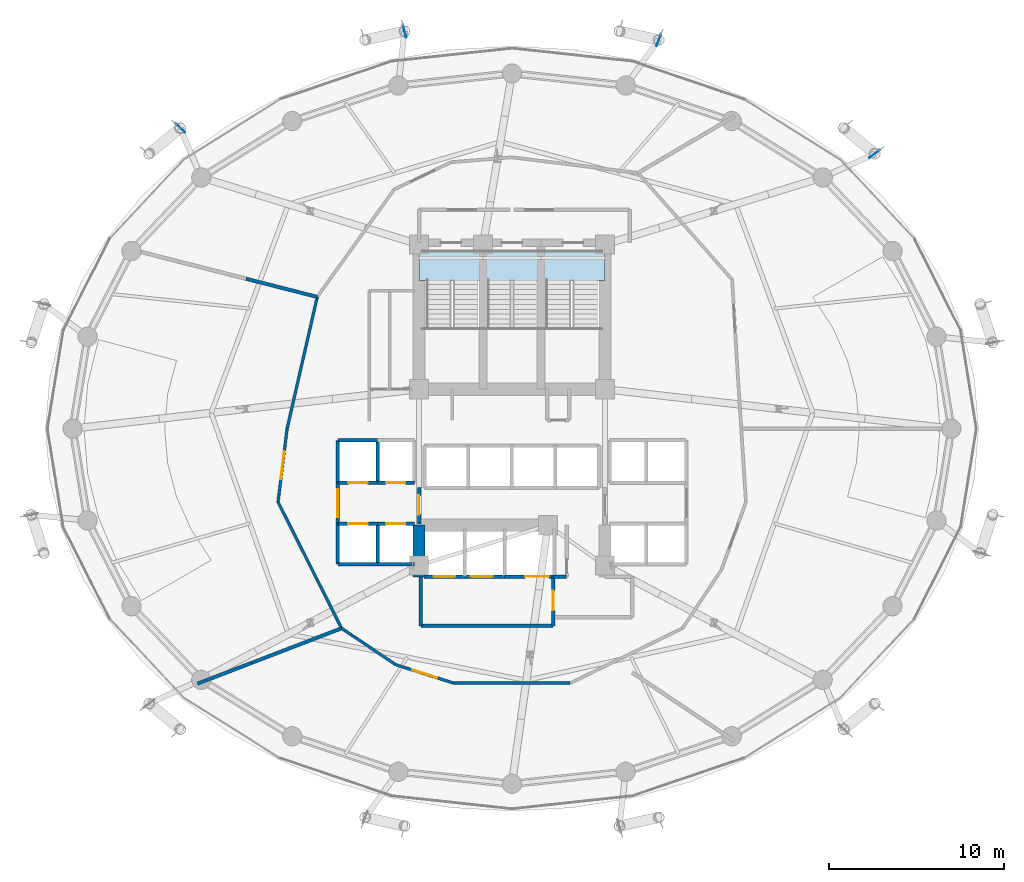
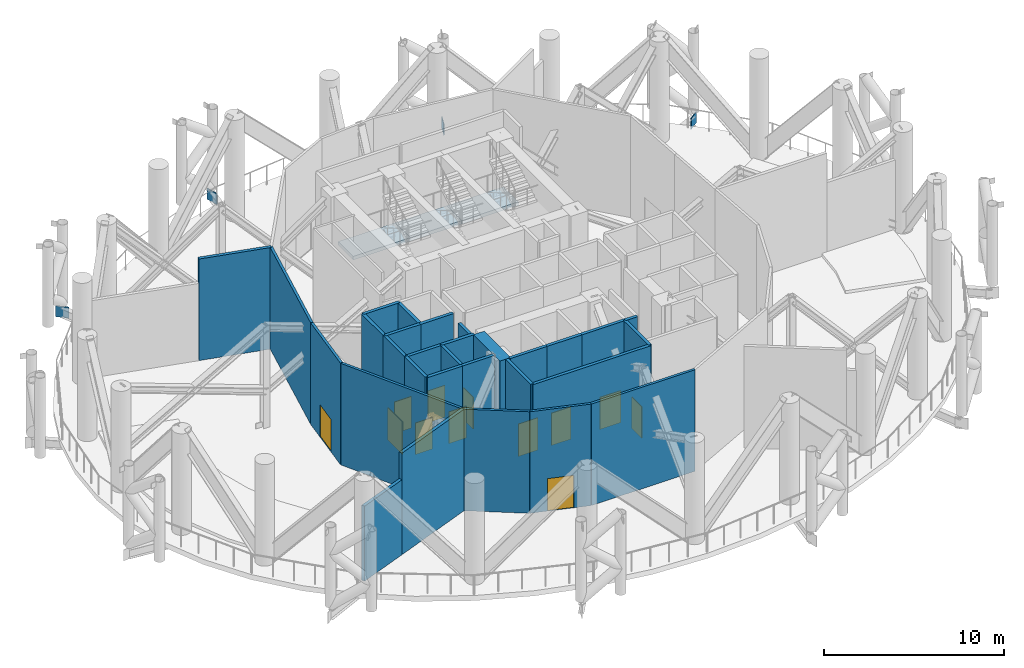
# One storey, part 8 of 19: 30 walls, 12 doors, 4 plates, 3 slabs, 12 openings, 3 elements without a shape of their own.
"""IFC4 building model written with IfcOpenShell, lengths in metres."""

from ifc_helpers import new_model, si_unit, direction, frame, frame_2d, origin, origin_2d, place, context, subcontext, project, spatial, polyline, rectangle, outline, extrude, material, layer, layer_set, type_object, element, fill, aggregate, save


model = new_model("IFC4")

# Units and contexts
model_context = context("Model", 3, precision=1e-05, world=origin(), true_north=direction((0.0, 1.0)))
body_context = subcontext(model_context, "Body", "Model", "MODEL_VIEW")
ifc_project = project(units=[si_unit("LENGTHUNIT", "METRE"), si_unit("AREAUNIT", "SQUARE_METRE"), si_unit("VOLUMEUNIT", "CUBIC_METRE"), si_unit("PLANEANGLEUNIT", "RADIAN"), si_unit("MASSUNIT", "GRAM", prefix="KILO")], contexts=[model_context])

# Site, building, storey
site_placement = place(None, origin())
site = spatial("IfcSite", under=ifc_project, at=site_placement, CompositionType="ELEMENT")
building_placement = place(site_placement, origin())
building = spatial("IfcBuilding", under=site, at=building_placement, Name="Nuhasar Tower", CompositionType="ELEMENT")
storey_placement = place(building_placement, frame((0.0, 0.0, 106.050048828125)))
storey = spatial("IfcBuildingStorey", under=building, at=storey_placement, Name="L25", CompositionType="ELEMENT", Elevation=106.050048828125)

# Plates
ifc_material_1 = material(Name="Steel S460", Category="steel")
ifc_layer_1 = layer(ifc_material_1, 0.0400390625)
ifc_layer_set_1 = layer_set([ifc_layer_1], Name="Steel S460")
plate_type = type_object("IfcPlateType", Name="PLT-GUSSET-40", PredefinedType="SHEET", material=ifc_layer_set_1)
for number, where, z_axis, x_axis, name in (
    (1, (59.68505859375, 42.470947265625, -1.030029296875), (0.0, 0.0, 1.0), (0.797078306655, 0.60387595834, 0.0), "L25 Bronze Diagrid Gusset Node Plate 02"),
    (2, (47.3701171875, 48.9599609375, -1.030029296875), (0.0, 0.0, 1.0), (0.353344227708, 0.93549337611, 0.0), "L25 Bronze Diagrid Gusset Node Plate 03"),
    (3, (32.8759765625, 49.458984375, -1.030029296875), (0.0, 0.0, 1.0), (-0.260908902007, 0.965363426308, 0.0), "L25 Bronze Diagrid Gusset Node Plate 04"),
    (4, (20.0869140625, 43.93896484375, -1.030029296875), (0.0, 0.0, 1.0), (-0.741003867187, 0.671500758611, 0.0), "L25 Bronze Diagrid Gusset Node Plate 05"),
):
    element("IfcPlate", number, at=place(storey_placement, frame(where, z_axis=z_axis, x_axis=x_axis)), inside=storey, type_object=plate_type, Name=name, PredefinedType="SHEET", context=body_context, shape_type="SweptSolid", body=[
        extrude(rectangle(XDim=0.75, YDim=0.0400390625, at=origin_2d()), origin(), (0.0, 0.0, 1.0), 0.75),
    ])

# Stair, slab
ifc_material_2 = material(Name="Concrete C45/55", Category="concrete")
stair_type_1 = type_object("IfcStairType", Name="STR-ST-01-4F-44R-1636", PredefinedType="HALF_TURN_STAIR", material=ifc_material_2)
stair_1_placement = place(storey_placement, origin())
stair_1 = element("IfcStair", 5, at=stair_1_placement, inside=storey, type_object=stair_type_1, Name="L25 Exit Stair ST-01", PredefinedType="HALF_TURN_STAIR")
ifc_layer_2 = layer(ifc_material_2, 0.239990234375)
ifc_layer_set_2 = layer_set([ifc_layer_2], Name="Concrete C45/55")
slab_type = type_object("IfcSlabType", Name="SLB-STAIR-LND-240", PredefinedType="LANDING", material=ifc_layer_set_2)
slab_1_placement = place(storey_placement, frame((0.0, 0.0, 3.35986328125)))
slab_1 = element("IfcSlab", 6, at=slab_1_placement, type_object=slab_type, Name="ST-01 landing 2", PredefinedType="LANDING", context=body_context, shape_type="SweptSolid", body=[
    extrude(outline(polyline([(33.699951171875, 35.239990234375), (37.35009765625, 35.239990234375), (37.35009765625, 36.909912109375), (33.699951171875, 36.909912109375), (33.699951171875, 35.239990234375)])), origin(), (0.0, 0.0, 1.0), 0.239990234375),
])
aggregate(stair_1, [slab_1])

stair_type_2 = type_object("IfcStairType", Name="STR-ST-03-4F-44R-1636", PredefinedType="HALF_TURN_STAIR", material=ifc_material_2)
stair_2_placement = place(storey_placement, origin())
stair_2 = element("IfcStair", 7, at=stair_2_placement, inside=storey, type_object=stair_type_2, Name="L25 Exit Stair ST-03", PredefinedType="HALF_TURN_STAIR")
slab_2_placement = place(storey_placement, frame((0.0, 0.0, 3.35986328125)))
slab_2 = element("IfcSlab", 8, at=slab_2_placement, type_object=slab_type, Name="ST-03 landing 2", PredefinedType="LANDING", context=body_context, shape_type="SweptSolid", body=[
    extrude(outline(polyline([(37.35009765625, 35.239990234375), (40.64990234375, 35.239990234375), (40.64990234375, 36.909912109375), (37.35009765625, 36.909912109375), (37.35009765625, 35.239990234375)])), origin(), (0.0, 0.0, 1.0), 0.239990234375),
])
aggregate(stair_2, [slab_2])

stair_type_3 = type_object("IfcStairType", Name="STR-ST-02-4F-44R-1636", PredefinedType="HALF_TURN_STAIR", material=ifc_material_2)
stair_3_placement = place(storey_placement, origin())
stair_3 = element("IfcStair", 9, at=stair_3_placement, inside=storey, type_object=stair_type_3, Name="L25 Exit Stair ST-02", PredefinedType="HALF_TURN_STAIR")
slab_3_placement = place(storey_placement, frame((0.0, 0.0, 3.35986328125)))
slab_3 = element("IfcSlab", 10, at=slab_3_placement, type_object=slab_type, Name="ST-02 landing 2", PredefinedType="LANDING", context=body_context, shape_type="SweptSolid", body=[
    extrude(outline(polyline([(40.64990234375, 35.239990234375), (44.300048828125, 35.239990234375), (44.300048828125, 36.909912109375), (40.64990234375, 36.909912109375), (40.64990234375, 35.239990234375)])), origin(), (0.0, 0.0, 1.0), 0.239990234375),
])
aggregate(stair_3, [slab_3])

# Walls
ifc_material_3 = material(Name="Concrete C65/80", Category="concrete")
ifc_layer_3 = layer(ifc_material_3, 0.699951171875)
ifc_layer_set_3 = layer_set([ifc_layer_3], Name="Concrete C65/80")
wall_type_1 = type_object("IfcWallType", Name="WL-CORE-700", PredefinedType="SHEAR", material=ifc_layer_set_3)
wall_1_placement = place(storey_placement, frame((33.699951171875, 18.35009765625, 0.0), z_axis=(0.0, 0.0, 1.0), x_axis=(0.0, 1.0, 0.0)))
element("IfcWall", 11, at=wall_1_placement, inside=storey, type_object=wall_type_1, Name="L25 Core Shear Wall CW-SW CW-700", PredefinedType="SHEAR", context=body_context, shape_type="SweptSolid", body=[
    extrude(rectangle(XDim=2.949951171875, YDim=0.699951171875, at=frame_2d((1.47509765625, 0.0))), origin(), (0.0, 0.0, 1.0), 6.8798828125),
])
ifc_material_4 = material(Name="Gypsum Board", Category="gypsum")
ifc_layer_4 = layer(ifc_material_4, 0.159912109375)
ifc_layer_set_4 = layer_set([ifc_layer_4], Name="Gypsum Board")
wall_type_2 = type_object("IfcWallType", Name="WL-CORR-160", PredefinedType="PARTITIONING", material=ifc_layer_set_4)
wall_2_placement = place(storey_placement, frame((27.89794921875, 34.31005859375, 0.0), z_axis=(0.0, 0.0, 1.0), x_axis=(-0.223002916051, -0.974817777553, 0.0)))
element("IfcWall", 12, at=wall_2_placement, inside=storey, type_object=wall_type_2, Name="L25 Interior Partition CORR-20", PredefinedType="PARTITIONING", context=body_context, shape_type="SweptSolid", body=[
    extrude(rectangle(XDim=7.7041015625, YDim=0.159912109375, at=frame_2d((3.85205078125, 0.0))), origin(), (0.0, 0.0, 1.0), 6.8798828125),
])

# Wall, opening, door
wall_3_placement = place(storey_placement, frame((25.6630859375, 22.614013671875, 0.0), z_axis=(0.0, 0.0, 1.0), x_axis=(0.122538537921, 0.992463755874, 0.0)))
wall_3 = element("IfcWall", 13, at=wall_3_placement, inside=storey, type_object=wall_type_2, Name="L25 Interior Partition CORR-24", PredefinedType="PARTITIONING", context=body_context, shape_type="SweptSolid", body=[
    extrude(rectangle(XDim=4.2177734375, YDim=0.159912109375, at=frame_2d((2.10888671875, 0.0))), origin(), (0.0, 0.0, 1.0), 6.8798828125),
])
opening_1_placement = place(wall_3_placement, frame((1.30908203125, 0.0, 0.0)))
opening_1 = element("IfcOpeningElement", 14, at=opening_1_placement, cuts=wall_3, Name="Opening DC-01", PredefinedType="OPENING", context=body_context, shape_type="SweptSolid", body=[
    extrude(rectangle(XDim=1.60009765625, YDim=2.199951171875, at=frame_2d((0.800048828125, 1.10009765625))), frame((0.0, 0.08984375, 0.0), z_axis=(0.0, -1.0, 0.0), x_axis=(1.0, 0.0, 0.0)), (0.0, 0.0, 1.0), 0.179931640625),
])
ifc_material_5 = material(Name="Steel S355", Category="steel")
door_type_1 = type_object("IfcDoorType", Name="DR-CORR-FD60-1600", OperationType="DOUBLE_DOOR_SINGLE_SWING", PredefinedType="DOOR", material=ifc_material_5)
door_1_placement = place(opening_1_placement, origin())
door_1 = element("IfcDoor", 15, at=door_1_placement, inside=storey, type_object=door_type_1, Name="L25 West Refuge Area Door", OperationType="DOUBLE_DOOR_SINGLE_SWING", OverallHeight=2.199951171875, OverallWidth=1.60009765625, PredefinedType="DOOR", context=body_context, shape_type="SweptSolid", body=[
    extrude(rectangle(XDim=1.60009765625, YDim=2.199951171875, at=frame_2d((0.800048828125, 1.10009765625))), frame((0.0, 0.02490234375, 0.0), z_axis=(0.0, -1.0, 0.0), x_axis=(1.0, 0.0, 0.0)), (0.0, 0.0, 1.0), 0.050048828125),
])
fill(opening_1, door_1)

# Walls
wall_4_placement = place(storey_placement, frame((25.6630859375, 22.614013671875, 0.0), z_axis=(0.0, 0.0, 1.0), x_axis=(0.449672541353, -0.893193487187, 0.0)))
element("IfcWall", 16, at=wall_4_placement, inside=storey, type_object=wall_type_2, Name="L25 Interior Partition CORR-26", PredefinedType="PARTITIONING", context=body_context, shape_type="SweptSolid", body=[
    extrude(rectangle(XDim=8.056640625, YDim=0.159912109375, at=frame_2d((4.0283203125, 0.0))), origin(), (0.0, 0.0, 1.0), 6.8798828125),
])
wall_5_placement = place(storey_placement, frame((29.285888671875, 15.41796875, 0.0), z_axis=(0.0, 0.0, 1.0), x_axis=(0.829606474383, -0.558348544962, 0.0)))
element("IfcWall", 17, at=wall_5_placement, inside=storey, type_object=wall_type_2, Name="L25 Interior Partition CORR-30", PredefinedType="PARTITIONING", context=body_context, shape_type="SweptSolid", body=[
    extrude(rectangle(XDim=3.71630859375, YDim=0.159912109375, at=frame_2d((1.858154296875, 0.0))), origin(), (0.0, 0.0, 1.0), 6.8798828125),
])

# Wall, opening, door
wall_6_placement = place(storey_placement, frame((35.681884765625, 12.2919921875, 0.0), z_axis=(0.0, 0.0, 1.0), x_axis=(-0.953183734956, 0.302391744951, 0.0)))
wall_6 = element("IfcWall", 18, at=wall_6_placement, inside=storey, type_object=wall_type_2, Name="L25 Interior Partition CORR-32", PredefinedType="PARTITIONING", context=body_context, shape_type="SweptSolid", body=[
    extrude(rectangle(XDim=3.4755859375, YDim=0.159912109375, at=frame_2d((1.73779296875, 0.0))), origin(), (0.0, 0.0, 1.0), 6.8798828125),
])
opening_2_placement = place(wall_6_placement, frame((0.988037109375, 0.0, 0.0)))
opening_2 = element("IfcOpeningElement", 19, at=opening_2_placement, cuts=wall_6, Name="Opening DP-01", PredefinedType="OPENING", context=body_context, shape_type="SweptSolid", body=[
    extrude(rectangle(XDim=1.5, YDim=2.199951171875, at=frame_2d((0.75, 1.10009765625))), frame((0.0, 0.08984375, 0.0), z_axis=(0.0, -1.0, 0.0), x_axis=(1.0, 0.0, 0.0)), (0.0, 0.0, 1.0), 0.179931640625),
])
door_type_2 = type_object("IfcDoorType", Name="DR-PLANT-FD120-1500", OperationType="DOUBLE_DOOR_SINGLE_SWING", PredefinedType="DOOR", material=ifc_material_5)
door_2_placement = place(opening_2_placement, origin())
door_2 = element("IfcDoor", 20, at=door_2_placement, inside=storey, type_object=door_type_2, Name="L25 South Chiller & Pump Plant Door", OperationType="DOUBLE_DOOR_SINGLE_SWING", OverallHeight=2.199951171875, OverallWidth=1.5, PredefinedType="DOOR", context=body_context, shape_type="SweptSolid", body=[
    extrude(rectangle(XDim=1.5, YDim=2.199951171875, at=frame_2d((0.75, 1.10009765625))), frame((0.0, 0.02490234375, 0.0), z_axis=(0.0, -1.0, 0.0), x_axis=(1.0, 0.0, 0.0)), (0.0, 0.0, 1.0), 0.050048828125),
])
fill(opening_2, door_2)

# Wall
wall_7_placement = place(storey_placement, frame((35.681884765625, 12.2919921875, 0.0), z_axis=(0.0, 0.0, 1.0), x_axis=(1.0, 0.0, 0.0)))
element("IfcWall", 21, at=wall_7_placement, inside=storey, type_object=wall_type_2, Name="L25 Interior Partition CORR-34", PredefinedType="PARTITIONING", context=body_context, shape_type="SweptSolid", body=[
    extrude(rectangle(XDim=6.63623046875, YDim=0.159912109375, at=frame_2d((3.318115234375, 0.0))), origin(), (0.0, 0.0, 1.0), 6.8798828125),
])

# Wall, opening, door
ifc_layer_5 = layer(ifc_material_2, 0.199951171875)
ifc_layer_set_5 = layer_set([ifc_layer_5], Name="Concrete C45/55")
wall_type_3 = type_object("IfcWallType", Name="WL-LOBBY-200", PredefinedType="SOLIDWALL", material=ifc_layer_set_5)
wall_8_placement = place(storey_placement, frame((29.070068359375, 21.3798828125, 0.0), z_axis=(0.0, 0.0, 1.0), x_axis=(0.0, 1.0, 0.0)))
wall_8 = element("IfcWall", 22, at=wall_8_placement, inside=storey, type_object=wall_type_3, Name="L25 Interior Partition LLBL-W", PredefinedType="SOLIDWALL", context=body_context, shape_type="SweptSolid", body=[
    extrude(rectangle(XDim=2.340087890625, YDim=0.199951171875, at=frame_2d((1.169921875, 0.0))), origin(), (0.0, 0.0, 1.0), 6.8798828125),
])
opening_3_placement = place(wall_8_placement, frame((0.3701171875, 0.0, 0.0)))
opening_3 = element("IfcOpeningElement", 23, at=opening_3_placement, cuts=wall_8, Name="Opening DC-01", PredefinedType="OPENING", context=body_context, shape_type="SweptSolid", body=[
    extrude(rectangle(XDim=1.60009765625, YDim=2.199951171875, at=frame_2d((0.800048828125, 1.10009765625))), frame((0.0, 0.10986328125, 0.0), z_axis=(0.0, -1.0, 0.0), x_axis=(1.0, 0.0, 0.0)), (0.0, 0.0, 1.0), 0.219970703125),
])
door_3_placement = place(opening_3_placement, origin())
door_3 = element("IfcDoor", 24, at=door_3_placement, inside=storey, type_object=door_type_1, Name="L25 Low-Rise Lift Lobby West Entry", OperationType="DOUBLE_DOOR_SINGLE_SWING", OverallHeight=2.199951171875, OverallWidth=1.60009765625, PredefinedType="DOOR", context=body_context, shape_type="SweptSolid", body=[
    extrude(rectangle(XDim=1.60009765625, YDim=2.199951171875, at=frame_2d((0.800048828125, 1.10009765625))), frame((0.0, 0.02490234375, 0.0), z_axis=(0.0, -1.0, 0.0), x_axis=(1.0, 0.0, 0.0)), (0.0, 0.0, 1.0), 0.050048828125),
])
fill(opening_3, door_3)

wall_9_placement = place(storey_placement, frame((33.699951171875, 21.35009765625, 0.0), z_axis=(0.0, 0.0, 1.0), x_axis=(0.0, 1.0, 0.0)))
wall_9 = element("IfcWall", 25, at=wall_9_placement, inside=storey, type_object=wall_type_3, Name="L25 Interior Partition LLBH-W", PredefinedType="SOLIDWALL", context=body_context, shape_type="SweptSolid", body=[
    extrude(rectangle(XDim=2.099853515625, YDim=0.199951171875, at=frame_2d((1.0498046875, 0.0))), origin(), (0.0, 0.0, 1.0), 6.264892578125),
])
opening_4_placement = place(wall_9_placement, frame((0.550048828125, 0.0, 0.0)))
opening_4 = element("IfcOpeningElement", 26, at=opening_4_placement, cuts=wall_9, Name="Opening DS-02", PredefinedType="OPENING", context=body_context, shape_type="SweptSolid", body=[
    extrude(rectangle(XDim=1.10009765625, YDim=2.14990234375, at=frame_2d((0.550048828125, 1.074951171875))), frame((0.0, 0.10986328125, 0.0), z_axis=(0.0, -1.0, 0.0), x_axis=(1.0, 0.0, 0.0)), (0.0, 0.0, 1.0), 0.219970703125),
])
door_type_3 = type_object("IfcDoorType", Name="DR-FFL-FD120-1100", OperationType="NOTDEFINED", PredefinedType="DOOR", material=ifc_material_5)
door_4_placement = place(opening_4_placement, origin())
door_4 = element("IfcDoor", 27, at=door_4_placement, inside=storey, type_object=door_type_3, Name="L25 High-Rise Lobby West Door", OperationType="SINGLE_SWING_RIGHT", OverallHeight=2.14990234375, OverallWidth=1.10009765625, PredefinedType="DOOR", context=body_context, shape_type="SweptSolid", body=[
    extrude(rectangle(XDim=1.10009765625, YDim=2.14990234375, at=frame_2d((0.550048828125, 1.074951171875))), frame((0.0, 0.02490234375, 0.0), z_axis=(0.0, -1.0, 0.0), x_axis=(1.0, 0.0, 0.0)), (0.0, 0.0, 1.0), 0.050048828125),
])
fill(opening_4, door_4)

# Walls
wall_10_placement = place(storey_placement, frame((33.800048828125, 15.550048828125, 0.0), z_axis=(0.0, 0.0, 1.0), x_axis=(1.0, 0.0, 0.0)))
element("IfcWall", 28, at=wall_10_placement, inside=storey, type_object=wall_type_3, Name="L25 Interior Partition FFL-S", PredefinedType="SOLIDWALL", context=body_context, shape_type="SweptSolid", body=[
    extrude(rectangle(XDim=7.550048828125, YDim=0.199951171875, at=frame_2d((3.77490234375, 0.0))), origin(), (0.0, 0.0, 1.0), 6.8798828125),
])
wall_11_placement = place(storey_placement, frame((33.800048828125, 15.550048828125, 0.0), z_axis=(0.0, 0.0, 1.0), x_axis=(0.0, 1.0, 0.0)))
element("IfcWall", 29, at=wall_11_placement, inside=storey, type_object=wall_type_3, Name="L25 Interior Partition FFL-W", PredefinedType="SOLIDWALL", context=body_context, shape_type="SweptSolid", body=[
    extrude(rectangle(XDim=2.800048828125, YDim=0.199951171875, at=frame_2d((1.39990234375, 0.0))), origin(), (0.0, 0.0, 1.0), 6.8798828125),
])

# Wall, opening, door
wall_12_placement = place(storey_placement, frame((41.35009765625, 15.550048828125, 0.0), z_axis=(0.0, 0.0, 1.0), x_axis=(0.0, 1.0, 0.0)))
wall_12 = element("IfcWall", 30, at=wall_12_placement, inside=storey, type_object=wall_type_3, Name="L25 Interior Partition FFL-E", PredefinedType="SOLIDWALL", context=body_context, shape_type="SweptSolid", body=[
    extrude(rectangle(XDim=2.800048828125, YDim=0.199951171875, at=frame_2d((1.39990234375, 0.0))), origin(), (0.0, 0.0, 1.0), 6.8798828125),
])
opening_5_placement = place(wall_12_placement, frame((0.89990234375, 0.0, 0.0)))
opening_5 = element("IfcOpeningElement", 31, at=opening_5_placement, cuts=wall_12, Name="Opening DS-02", PredefinedType="OPENING", context=body_context, shape_type="SweptSolid", body=[
    extrude(rectangle(XDim=1.10009765625, YDim=2.14990234375, at=frame_2d((0.550048828125, 1.074951171875))), frame((0.0, 0.10986328125, 0.0), z_axis=(0.0, -1.0, 0.0), x_axis=(1.0, 0.0, 0.0)), (0.0, 0.0, 1.0), 0.219970703125),
])
door_5_placement = place(opening_5_placement, origin())
door_5 = element("IfcDoor", 32, at=door_5_placement, inside=storey, type_object=door_type_3, Name="L25 Firefighting Lobby Door", OperationType="SINGLE_SWING_RIGHT", OverallHeight=2.14990234375, OverallWidth=1.10009765625, PredefinedType="DOOR", context=body_context, shape_type="SweptSolid", body=[
    extrude(rectangle(XDim=1.10009765625, YDim=2.14990234375, at=frame_2d((0.550048828125, 1.074951171875))), frame((0.0, 0.02490234375, 0.0), z_axis=(0.0, -1.0, 0.0), x_axis=(1.0, 0.0, 0.0)), (0.0, 0.0, 1.0), 0.050048828125),
])
fill(opening_5, door_5)

# Walls
wall_13_placement = place(storey_placement, frame((27.89794921875, 34.31005859375, 0.0), z_axis=(0.0, 0.0, 1.0), x_axis=(-0.968941187562, 0.247291275719, 0.0)))
element("IfcWall", 33, at=wall_13_placement, inside=storey, type_object=wall_type_3, Name="L25 Interior Partition WRAD-20", PredefinedType="SOLIDWALL", context=body_context, shape_type="SweptSolid", body=[
    extrude(rectangle(XDim=4.18896484375, YDim=0.199951171875, at=frame_2d((2.094482421875, 0.0))), origin(), (0.0, 0.0, 1.0), 6.8798828125),
])
wall_14_placement = place(storey_placement, frame((29.285888671875, 15.41796875, 0.0), z_axis=(0.0, 0.0, 1.0), x_axis=(-0.933445105903, -0.358720273007, 0.0)))
element("IfcWall", 34, at=wall_14_placement, inside=storey, type_object=wall_type_3, Name="L25 Interior Partition WRAD-30", PredefinedType="SOLIDWALL", context=body_context, shape_type="SweptSolid", body=[
    extrude(rectangle(XDim=5.499755859375, YDim=0.199951171875, at=frame_2d((2.75, 0.0))), origin(), (0.0, 0.0, 1.0), 6.8798828125),
])
wall_15_placement = place(storey_placement, frame((24.152099609375, 13.445068359375, 0.0), z_axis=(0.0, 0.0, 1.0), x_axis=(-0.933419760617, -0.358786218367, 0.0)))
element("IfcWall", 35, at=wall_15_placement, inside=storey, type_object=wall_type_3, Name="L25 Interior Partition WRAD-30", PredefinedType="SOLIDWALL", context=body_context, shape_type="SweptSolid", body=[
    extrude(rectangle(XDim=3.308349609375, YDim=0.199951171875, at=frame_2d((1.654296875, 0.0))), origin(), (0.0, 0.0, 1.0), 5.079833984375),
])

# Wall, opening, door
ifc_layer_6 = layer(ifc_material_2, 0.199951171875)
ifc_layer_set_6 = layer_set([ifc_layer_6], Name="Concrete C45/55")
wall_type_4 = type_object("IfcWallType", Name="WL-SHAFT-200", PredefinedType="SOLIDWALL", material=ifc_layer_set_6)
wall_16_placement = place(storey_placement, frame((29.070068359375, 23.719970703125, 0.0), z_axis=(0.0, 0.0, 1.0), x_axis=(1.0, 0.0, 0.0)))
wall_16 = element("IfcWall", 36, at=wall_16_placement, inside=storey, type_object=wall_type_4, Name="L25 Interior Partition SHF-PL-L01-S", PredefinedType="SOLIDWALL", context=body_context, shape_type="SweptSolid", body=[
    extrude(rectangle(XDim=2.309814453125, YDim=0.199951171875, at=frame_2d((1.15478515625, 0.0))), origin(), (0.0, 0.0, 1.0), 6.8798828125),
])
opening_6_placement = place(wall_16_placement, frame((0.60498046875, 0.0, 0.0)))
opening_6 = element("IfcOpeningElement", 37, at=opening_6_placement, cuts=wall_16, Name="Opening LD-L01", PredefinedType="OPENING", context=body_context, shape_type="SweptSolid", body=[
    extrude(rectangle(XDim=1.10009765625, YDim=2.14990234375, at=frame_2d((0.550048828125, 1.074951171875))), frame((0.0, 0.10986328125, 0.0), z_axis=(0.0, -1.0, 0.0), x_axis=(1.0, 0.0, 0.0)), (0.0, 0.0, 1.0), 0.219970703125),
])
ifc_material_6 = material(Name="Stainless Steel 316L", Category="steel")
door_type_4 = type_object("IfcDoorType", Name="LD-PAX-1100", OperationType="DOUBLE_DOOR_SLIDING", PredefinedType="DOOR", material=ifc_material_6)
door_6_placement = place(opening_6_placement, origin())
door_6 = element("IfcDoor", 38, at=door_6_placement, inside=storey, type_object=door_type_4, Name="L25 Lift Landing Door PL-L01", OperationType="DOUBLE_DOOR_SLIDING", OverallHeight=2.14990234375, OverallWidth=1.10009765625, PredefinedType="DOOR", context=body_context, shape_type="SweptSolid", body=[
    extrude(rectangle(XDim=1.10009765625, YDim=2.14990234375, at=frame_2d((0.550048828125, 1.074951171875))), frame((0.0, 0.02490234375, 0.0), z_axis=(0.0, -1.0, 0.0), x_axis=(1.0, 0.0, 0.0)), (0.0, 0.0, 1.0), 0.050048828125),
])
fill(opening_6, door_6)

# Walls
wall_17_placement = place(storey_placement, frame((29.070068359375, 26.1298828125, 0.0), z_axis=(0.0, 0.0, 1.0), x_axis=(1.0, 0.0, 0.0)))
element("IfcWall", 39, at=wall_17_placement, inside=storey, type_object=wall_type_4, Name="L25 Interior Partition SHF-PL-L01-N", PredefinedType="SOLIDWALL", context=body_context, shape_type="SweptSolid", body=[
    extrude(rectangle(XDim=2.309814453125, YDim=0.199951171875, at=frame_2d((1.15478515625, 0.0))), origin(), (0.0, 0.0, 1.0), 6.8798828125),
])
for number, where, z_axis, x_axis, name in (
    (40, (29.070068359375, 23.719970703125, 0.0), (0.0, 0.0, 1.0), (0.0, 1.0, 0.0), "L25 Interior Partition SHF-PL-L01-W"),
    (41, (31.35009765625, 23.719970703125, 0.0), (0.0, 0.0, 1.0), (0.0, 1.0, 0.0), "L25 Interior Partition SHF-PL-L01-E"),
):
    element("IfcWall", number, at=place(storey_placement, frame(where, z_axis=z_axis, x_axis=x_axis)), inside=storey, type_object=wall_type_4, Name=name, PredefinedType="SOLIDWALL", context=body_context, shape_type="SweptSolid", body=[
        extrude(rectangle(XDim=2.409912109375, YDim=0.199951171875, at=frame_2d((1.205078125, 0.0))), origin(), (0.0, 0.0, 1.0), 6.8798828125),
    ])

# Wall, opening, door
wall_18_placement = place(storey_placement, frame((31.320068359375, 23.719970703125, 0.0), z_axis=(0.0, 0.0, 1.0), x_axis=(1.0, 0.0, 0.0)))
wall_18 = element("IfcWall", 42, at=wall_18_placement, inside=storey, type_object=wall_type_4, Name="L25 Interior Partition SHF-PL-L02-S", PredefinedType="SOLIDWALL", context=body_context, shape_type="SweptSolid", body=[
    extrude(rectangle(XDim=2.10986328125, YDim=0.199951171875, at=frame_2d((1.054931640625, 0.0))), origin(), (0.0, 0.0, 1.0), 6.8798828125),
])
opening_7_placement = place(wall_18_placement, frame((0.5048828125, 0.0, 0.0)))
opening_7 = element("IfcOpeningElement", 43, at=opening_7_placement, cuts=wall_18, Name="Opening LD-L02", PredefinedType="OPENING", context=body_context, shape_type="SweptSolid", body=[
    extrude(rectangle(XDim=1.10009765625, YDim=2.14990234375, at=frame_2d((0.550048828125, 1.074951171875))), frame((0.0, 0.10986328125, 0.0), z_axis=(0.0, -1.0, 0.0), x_axis=(1.0, 0.0, 0.0)), (0.0, 0.0, 1.0), 0.219970703125),
])
door_7_placement = place(opening_7_placement, origin())
door_7 = element("IfcDoor", 44, at=door_7_placement, inside=storey, type_object=door_type_4, Name="L25 Lift Landing Door PL-L02", OperationType="DOUBLE_DOOR_SLIDING", OverallHeight=2.14990234375, OverallWidth=1.10009765625, PredefinedType="DOOR", context=body_context, shape_type="SweptSolid", body=[
    extrude(rectangle(XDim=1.10009765625, YDim=2.14990234375, at=frame_2d((0.550048828125, 1.074951171875))), frame((0.0, 0.02490234375, 0.0), z_axis=(0.0, -1.0, 0.0), x_axis=(1.0, 0.0, 0.0)), (0.0, 0.0, 1.0), 0.050048828125),
])
fill(opening_7, door_7)

# Wall
wall_19_placement = place(storey_placement, frame((29.070068359375, 19.070068359375, 0.0), z_axis=(0.0, 0.0, 1.0), x_axis=(1.0, 0.0, 0.0)))
element("IfcWall", 45, at=wall_19_placement, inside=storey, type_object=wall_type_4, Name="L25 Interior Partition SHF-PL-L03-S", PredefinedType="SOLIDWALL", context=body_context, shape_type="SweptSolid", body=[
    extrude(rectangle(XDim=2.309814453125, YDim=0.199951171875, at=frame_2d((1.15478515625, 0.0))), origin(), (0.0, 0.0, 1.0), 6.8798828125),
])

# Wall, opening, door
wall_20_placement = place(storey_placement, frame((29.070068359375, 21.3798828125, 0.0), z_axis=(0.0, 0.0, 1.0), x_axis=(1.0, 0.0, 0.0)))
wall_20 = element("IfcWall", 46, at=wall_20_placement, inside=storey, type_object=wall_type_4, Name="L25 Interior Partition SHF-PL-L03-N", PredefinedType="SOLIDWALL", context=body_context, shape_type="SweptSolid", body=[
    extrude(rectangle(XDim=2.309814453125, YDim=0.199951171875, at=frame_2d((1.15478515625, 0.0))), origin(), (0.0, 0.0, 1.0), 6.8798828125),
])
opening_8_placement = place(wall_20_placement, frame((0.60498046875, 0.0, 0.0)))
opening_8 = element("IfcOpeningElement", 47, at=opening_8_placement, cuts=wall_20, Name="Opening LD-L03", PredefinedType="OPENING", context=body_context, shape_type="SweptSolid", body=[
    extrude(rectangle(XDim=1.10009765625, YDim=2.14990234375, at=frame_2d((0.550048828125, 1.074951171875))), frame((0.0, 0.10986328125, 0.0), z_axis=(0.0, -1.0, 0.0), x_axis=(1.0, 0.0, 0.0)), (0.0, 0.0, 1.0), 0.219970703125),
])
door_8_placement = place(opening_8_placement, origin())
door_8 = element("IfcDoor", 48, at=door_8_placement, inside=storey, type_object=door_type_4, Name="L25 Lift Landing Door PL-L03", OperationType="DOUBLE_DOOR_SLIDING", OverallHeight=2.14990234375, OverallWidth=1.10009765625, PredefinedType="DOOR", context=body_context, shape_type="SweptSolid", body=[
    extrude(rectangle(XDim=1.10009765625, YDim=2.14990234375, at=frame_2d((0.550048828125, 1.074951171875))), frame((0.0, 0.02490234375, 0.0), z_axis=(0.0, -1.0, 0.0), x_axis=(1.0, 0.0, 0.0)), (0.0, 0.0, 1.0), 0.050048828125),
])
fill(opening_8, door_8)

# Walls
for number, where, z_axis, x_axis, name in (
    (49, (29.070068359375, 19.070068359375, 0.0), (0.0, 0.0, 1.0), (0.0, 1.0, 0.0), "L25 Interior Partition SHF-PL-L03-W"),
    (50, (31.35009765625, 19.070068359375, 0.0), (0.0, 0.0, 1.0), (0.0, 1.0, 0.0), "L25 Interior Partition SHF-PL-L03-E"),
):
    element("IfcWall", number, at=place(storey_placement, frame(where, z_axis=z_axis, x_axis=x_axis)), inside=storey, type_object=wall_type_4, Name=name, PredefinedType="SOLIDWALL", context=body_context, shape_type="SweptSolid", body=[
        extrude(rectangle(XDim=2.309814453125, YDim=0.199951171875, at=frame_2d((1.15478515625, 0.0))), origin(), (0.0, 0.0, 1.0), 6.8798828125),
    ])
wall_21_placement = place(storey_placement, frame((31.320068359375, 19.070068359375, 0.0), z_axis=(0.0, 0.0, 1.0), x_axis=(1.0, 0.0, 0.0)))
element("IfcWall", 51, at=wall_21_placement, inside=storey, type_object=wall_type_4, Name="L25 Interior Partition SHF-PL-L04-S", PredefinedType="SOLIDWALL", context=body_context, shape_type="SweptSolid", body=[
    extrude(rectangle(XDim=2.10986328125, YDim=0.199951171875, at=frame_2d((1.054931640625, 0.0))), origin(), (0.0, 0.0, 1.0), 6.8798828125),
])

# Wall, opening, door
wall_22_placement = place(storey_placement, frame((31.320068359375, 21.3798828125, 0.0), z_axis=(0.0, 0.0, 1.0), x_axis=(1.0, 0.0, 0.0)))
wall_22 = element("IfcWall", 52, at=wall_22_placement, inside=storey, type_object=wall_type_4, Name="L25 Interior Partition SHF-PL-L04-N", PredefinedType="SOLIDWALL", context=body_context, shape_type="SweptSolid", body=[
    extrude(rectangle(XDim=2.10986328125, YDim=0.199951171875, at=frame_2d((1.054931640625, 0.0))), origin(), (0.0, 0.0, 1.0), 6.8798828125),
])
opening_9_placement = place(wall_22_placement, frame((0.5048828125, 0.0, 0.0)))
opening_9 = element("IfcOpeningElement", 53, at=opening_9_placement, cuts=wall_22, Name="Opening LD-L04", PredefinedType="OPENING", context=body_context, shape_type="SweptSolid", body=[
    extrude(rectangle(XDim=1.10009765625, YDim=2.14990234375, at=frame_2d((0.550048828125, 1.074951171875))), frame((0.0, 0.10986328125, 0.0), z_axis=(0.0, -1.0, 0.0), x_axis=(1.0, 0.0, 0.0)), (0.0, 0.0, 1.0), 0.219970703125),
])
door_9_placement = place(opening_9_placement, origin())
door_9 = element("IfcDoor", 54, at=door_9_placement, inside=storey, type_object=door_type_4, Name="L25 Lift Landing Door PL-L04", OperationType="DOUBLE_DOOR_SLIDING", OverallHeight=2.14990234375, OverallWidth=1.10009765625, PredefinedType="DOOR", context=body_context, shape_type="SweptSolid", body=[
    extrude(rectangle(XDim=1.10009765625, YDim=2.14990234375, at=frame_2d((0.550048828125, 1.074951171875))), frame((0.0, 0.02490234375, 0.0), z_axis=(0.0, -1.0, 0.0), x_axis=(1.0, 0.0, 0.0)), (0.0, 0.0, 1.0), 0.050048828125),
])
fill(opening_9, door_9)

wall_23_placement = place(storey_placement, frame((33.969970703125, 18.3701171875, 0.0), z_axis=(0.0, 0.0, 1.0), x_axis=(1.0, 0.0, 0.0)))
wall_23 = element("IfcWall", 55, at=wall_23_placement, inside=storey, type_object=wall_type_4, Name="L25 Interior Partition SHF-FFL-01-S", PredefinedType="SOLIDWALL", context=body_context, shape_type="SweptSolid", body=[
    extrude(rectangle(XDim=2.360107421875, YDim=0.199951171875, at=frame_2d((1.18017578125, 0.0))), origin(), (0.0, 0.0, 1.0), 6.8798828125),
])
opening_10_placement = place(wall_23_placement, frame((0.554931640625, 0.0, 0.0)))
opening_10 = element("IfcOpeningElement", 56, at=opening_10_placement, cuts=wall_23, Name="Opening LD-F01", PredefinedType="OPENING", context=body_context, shape_type="SweptSolid", body=[
    extrude(rectangle(XDim=1.25, YDim=2.199951171875, at=frame_2d((0.625, 1.10009765625))), frame((0.0, 0.10986328125, 0.0), z_axis=(0.0, -1.0, 0.0), x_axis=(1.0, 0.0, 0.0)), (0.0, 0.0, 1.0), 0.219970703125),
])
door_type_5 = type_object("IfcDoorType", Name="LD-FFL-1250", OperationType="DOUBLE_DOOR_SLIDING", PredefinedType="DOOR", material=ifc_material_6)
door_10_placement = place(opening_10_placement, origin())
door_10 = element("IfcDoor", 57, at=door_10_placement, inside=storey, type_object=door_type_5, Name="L25 Lift Landing Door FFL-01", OperationType="DOUBLE_DOOR_SLIDING", OverallHeight=2.199951171875, OverallWidth=1.25, PredefinedType="DOOR", context=body_context, shape_type="SweptSolid", body=[
    extrude(rectangle(XDim=1.25, YDim=2.199951171875, at=frame_2d((0.625, 1.10009765625))), frame((0.0, 0.02490234375, 0.0), z_axis=(0.0, -1.0, 0.0), x_axis=(1.0, 0.0, 0.0)), (0.0, 0.0, 1.0), 0.050048828125),
])
fill(opening_10, door_10)

wall_24_placement = place(storey_placement, frame((36.27001953125, 18.3701171875, 0.0), z_axis=(0.0, 0.0, 1.0), x_axis=(1.0, 0.0, 0.0)))
wall_24 = element("IfcWall", 58, at=wall_24_placement, inside=storey, type_object=wall_type_4, Name="L25 Interior Partition SHF-FFL-02-S", PredefinedType="SOLIDWALL", context=body_context, shape_type="SweptSolid", body=[
    extrude(rectangle(XDim=2.35986328125, YDim=0.199951171875, at=frame_2d((1.179931640625, 0.0))), origin(), (0.0, 0.0, 1.0), 6.8798828125),
])
opening_11_placement = place(wall_24_placement, frame((0.3798828125, 0.0, 0.0)))
opening_11 = element("IfcOpeningElement", 59, at=opening_11_placement, cuts=wall_24, Name="Opening LD-F02", PredefinedType="OPENING", context=body_context, shape_type="SweptSolid", body=[
    extrude(rectangle(XDim=1.25, YDim=2.199951171875, at=frame_2d((0.625, 1.10009765625))), frame((0.0, 0.10986328125, 0.0), z_axis=(0.0, -1.0, 0.0), x_axis=(1.0, 0.0, 0.0)), (0.0, 0.0, 1.0), 0.219970703125),
])
door_11_placement = place(opening_11_placement, origin())
door_11 = element("IfcDoor", 60, at=door_11_placement, inside=storey, type_object=door_type_5, Name="L25 Lift Landing Door FFL-02", OperationType="DOUBLE_DOOR_SLIDING", OverallHeight=2.199951171875, OverallWidth=1.25, PredefinedType="DOOR", context=body_context, shape_type="SweptSolid", body=[
    extrude(rectangle(XDim=1.25, YDim=2.199951171875, at=frame_2d((0.625, 1.10009765625))), frame((0.0, 0.02490234375, 0.0), z_axis=(0.0, -1.0, 0.0), x_axis=(1.0, 0.0, 0.0)), (0.0, 0.0, 1.0), 0.050048828125),
])
fill(opening_11, door_11)

wall_25_placement = place(storey_placement, frame((38.570068359375, 18.3701171875, 0.0), z_axis=(0.0, 0.0, 1.0), x_axis=(1.0, 0.0, 0.0)))
wall_25 = element("IfcWall", 61, at=wall_25_placement, inside=storey, type_object=wall_type_4, Name="L25 Interior Partition SHF-SVL-01-S", PredefinedType="SOLIDWALL", context=body_context, shape_type="SweptSolid", body=[
    extrude(rectangle(XDim=2.829833984375, YDim=0.199951171875, at=frame_2d((1.4150390625, 0.0))), origin(), (0.0, 0.0, 1.0), 6.8798828125),
])
opening_12_placement = place(wall_25_placement, frame((1.179931640625, 0.0, 0.0)))
opening_12 = element("IfcOpeningElement", 62, at=opening_12_placement, cuts=wall_25, Name="Opening LD-S01", PredefinedType="OPENING", context=body_context, shape_type="SweptSolid", body=[
    extrude(rectangle(XDim=1.35009765625, YDim=2.179931640625, at=frame_2d((0.675048828125, 1.08984375))), frame((0.0, 0.10986328125, 0.0), z_axis=(0.0, -1.0, 0.0), x_axis=(1.0, 0.0, 0.0)), (0.0, 0.0, 1.0), 0.219970703125),
])
door_type_6 = type_object("IfcDoorType", Name="LD-SVL-1350", OperationType="DOUBLE_DOOR_SLIDING", PredefinedType="DOOR", material=ifc_material_6)
door_12_placement = place(opening_12_placement, origin())
door_12 = element("IfcDoor", 63, at=door_12_placement, inside=storey, type_object=door_type_6, Name="L25 Lift Landing Door SVL-01", OperationType="DOUBLE_DOOR_SLIDING", OverallHeight=2.179931640625, OverallWidth=1.35009765625, PredefinedType="DOOR", context=body_context, shape_type="SweptSolid", body=[
    extrude(rectangle(XDim=1.35009765625, YDim=2.179931640625, at=frame_2d((0.675048828125, 1.08984375))), frame((0.0, 0.02490234375, 0.0), z_axis=(0.0, -1.0, 0.0), x_axis=(1.0, 0.0, 0.0)), (0.0, 0.0, 1.0), 0.050048828125),
])
fill(opening_12, door_12)

# Wall
wall_26_placement = place(storey_placement, frame((41.35009765625, 18.35009765625, 0.0), z_axis=(0.0, 0.0, 1.0), x_axis=(1.0, 0.0, 0.0)))
element("IfcWall", 64, at=wall_26_placement, inside=storey, type_object=wall_type_4, Name="L25 Interior Partition RSR-S", PredefinedType="SOLIDWALL", context=body_context, shape_type="SweptSolid", body=[
    extrude(rectangle(XDim=0.77001953125, YDim=0.199951171875, at=frame_2d((0.385009765625, 0.0))), origin(), (0.0, 0.0, 1.0), 6.8798828125),
])

save(model, "model.ifc")
